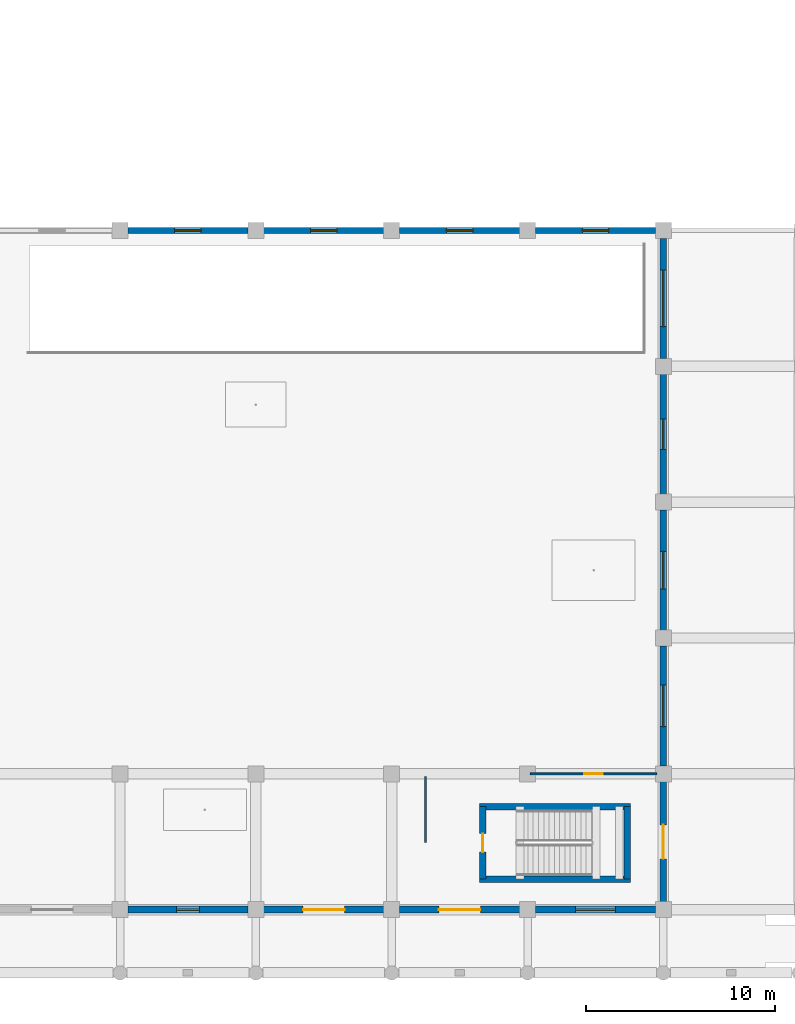
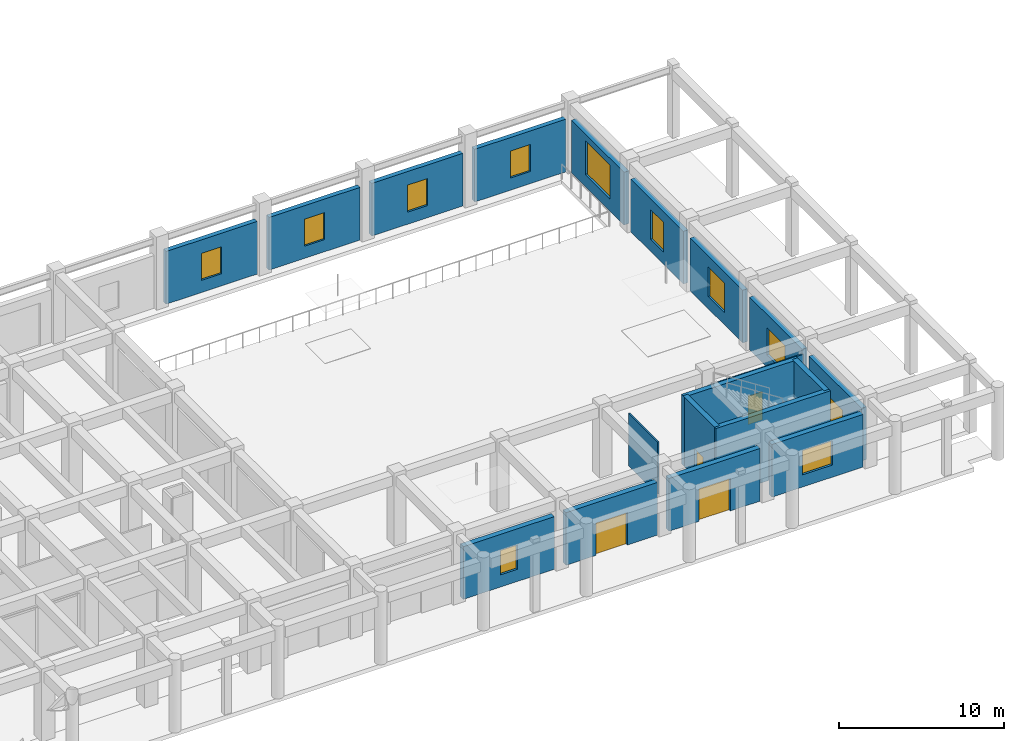
# One storey, part 33 of 56: 19 walls, 10 windows, 5 doors, 15 openings.
"""IFC4 building model written with IfcOpenShell, lengths in metres."""

import ifcopenshell
import ifcopenshell.guid

model = None  # the IFC model being written
_history = None  # IfcOwnerHistory: only IFC2X3 demands one
_inside = {}  # id of a spatial element -> (the spatial element, [elements in it])
_under = {}  # id of a project, library or spatial element -> (it, [spatial elements below it])
_declared = {}  # id of a project -> (the project, [libraries it declares])
_typed = {}  # id of a type object -> (the type object, [elements of that type])
_made_of = {}  # id of a material, layer set ... -> (it, [elements and type objects made of it])


def new_model(schema):
    """Start an empty IFC model of exactly this schema.

    Asked for "IFC4X3", IfcOpenShell would pick the latest addendum, in which some entities
    have other attributes; the version numbers below select the first issue.
    IFC2X3 requires an IfcOwnerHistory on every rooted entity: one is made here for all.
    """
    global model, _history
    if schema == "IFC4X3":
        model = ifcopenshell.file(schema_version=(4, 3, 0, 0))
    else:
        model = ifcopenshell.file(schema=schema)
    _inside.clear()
    _under.clear()
    _declared.clear()
    _typed.clear()
    _made_of.clear()
    _history = None
    if model.schema == "IFC2X3":
        org = make("IfcOrganization", Name="unknown")
        user = make(
            "IfcPersonAndOrganization",
            ThePerson=make("IfcPerson", FamilyName="unknown"),
            TheOrganization=org,
        )
        app = make(
            "IfcApplication",
            ApplicationDeveloper=org,
            Version="unknown",
            ApplicationFullName="unknown",
            ApplicationIdentifier="unknown",
        )
        _history = make(
            "IfcOwnerHistory",
            OwningUser=user,
            OwningApplication=app,
            ChangeAction="ADDED",
            CreationDate=0,
        )
    return model


def make(cls, **values):
    """One entity of the class cls with the attributes given. An attribute that is None is left unset."""
    return model.create_entity(
        cls, **{name: value for name, value in values.items() if value is not None}
    )


def rooted(cls, **values):
    """An entity with a GlobalId (a new one), such as an element, a storey or a relation."""
    return make(cls, GlobalId=ifcopenshell.guid.new(), OwnerHistory=_history, **values)


def si_unit(unit_type, name, prefix=None):
    """IfcSIUnit, for example si_unit("LENGTHUNIT", "METRE", prefix="MILLI")."""
    return make("IfcSIUnit", UnitType=unit_type, Prefix=prefix, Name=name)


def assignment(units):
    """IfcUnitAssignment: the units of a project."""
    return None if units is None else make("IfcUnitAssignment", Units=units)


def point(xyz):
    """IfcCartesianPoint."""
    return None if xyz is None else make("IfcCartesianPoint", Coordinates=xyz)


def direction(xyz):
    """IfcDirection."""
    return None if xyz is None else make("IfcDirection", DirectionRatios=xyz)


def frame(location, z_axis=None, x_axis=None):
    """IfcAxis2Placement3D, a coordinate frame: its origin and axes. An axis left out is left unset."""
    return make(
        "IfcAxis2Placement3D",
        Location=point(location),
        Axis=direction(z_axis),
        RefDirection=direction(x_axis),
    )


def frame_2d(location, x_axis=None):
    """IfcAxis2Placement2D, a coordinate frame in the plane: its origin and x axis."""
    return make(
        "IfcAxis2Placement2D", Location=point(location), RefDirection=direction(x_axis)
    )


def origin():
    """The frame at (0, 0, 0) with its axes left unset."""
    return frame((0.0, 0.0, 0.0))


def place(relative_to, where):
    """IfcLocalPlacement: puts the frame where relative to a parent placement (None: the world)."""
    return make(
        "IfcLocalPlacement", PlacementRelTo=relative_to, RelativePlacement=where
    )


def context(
    kind, dimensions, precision=None, world=None, true_north=None, identifier=None
):
    """IfcGeometricRepresentationContext, for example the 3D "Model" context."""
    return make(
        "IfcGeometricRepresentationContext",
        ContextIdentifier=identifier,
        ContextType=kind,
        CoordinateSpaceDimension=dimensions,
        Precision=precision,
        WorldCoordinateSystem=world,
        TrueNorth=true_north,
    )


def subcontext(parent, identifier, kind, view, scale=None):
    """IfcGeometricRepresentationSubContext, for example "Body" below "Model"."""
    return make(
        "IfcGeometricRepresentationSubContext",
        ContextIdentifier=identifier,
        ContextType=kind,
        ParentContext=parent,
        TargetScale=scale,
        TargetView=view,
    )


def project(units=None, contexts=None):
    """IfcProject with its units and contexts."""
    return rooted(
        "IfcProject",
        Name="project",
        RepresentationContexts=contexts,
        UnitsInContext=assignment(units),
    )


def spatial(cls, under=None, at=None, **own):
    """A site, building, storey or space (cls), placed at a placement, below another one or the project."""
    s = rooted(cls, ObjectPlacement=at, **own)
    if under is not None:
        _under.setdefault(under.id(), (under, []))[1].append(s)
    return s


def profile(cls, at=None, kind="AREA", **sizes):
    """A parametric profile (cls). Its sizes go by their IFC names, for example OverallWidth=200.0."""
    return make(cls, ProfileType=kind, Position=at, **sizes)


def rectangle(**sizes):
    """IfcRectangleProfileDef."""
    return profile("IfcRectangleProfileDef", **sizes)


def extrude(swept, where, along, depth):
    """IfcExtrudedAreaSolid: the profile swept, set in the frame where, extruded along a direction by depth."""
    return make(
        "IfcExtrudedAreaSolid",
        SweptArea=swept,
        Position=where,
        ExtrudedDirection=direction(along),
        Depth=depth,
    )


def shape(context_of_items, identifier, shape_type, items):
    """IfcShapeRepresentation: the items that make up one representation, for example the "Body"."""
    return make(
        "IfcShapeRepresentation",
        ContextOfItems=context_of_items,
        RepresentationIdentifier=identifier,
        RepresentationType=shape_type,
        Items=items,
    )


def material(Name=None, Category=None):
    """IfcMaterial."""
    return make("IfcMaterial", Name=Name, Category=Category)


def layer(
    of_material, thickness, ventilated=None, Name=None, Category=None, Priority=None
):
    """IfcMaterialLayer: one layer of a wall or slab, of a material (None: an air gap)."""
    return make(
        "IfcMaterialLayer",
        Material=of_material,
        LayerThickness=thickness,
        IsVentilated=ventilated,
        Name=Name,
        Category=Category,
        Priority=Priority,
    )


def layer_set(layers, Name=None):
    """IfcMaterialLayerSet."""
    return make("IfcMaterialLayerSet", MaterialLayers=layers, LayerSetName=Name)


def made_of(thing, what):
    """Note that an element or type object is made of a material, layer set ...; save() writes the relation."""
    if what is not None:
        _made_of.setdefault(what.id(), (what, []))[1].append(thing)
    return thing


def type_object(cls, material=None, **own):
    """A type object (cls), such as IfcWallType, which elements share."""
    return made_of(rooted(cls, **own), material)


def element(
    cls,
    number,
    at=None,
    inside=None,
    cuts=None,
    type_object=None,
    material=None,
    context=None,
    identifier="Body",
    shape_type=None,
    held_by="IfcProductDefinitionShape",
    body=None,
    shapes=None,
    **own,
):
    """One element of the class cls, such as IfcWall. Its Tag is "e" and its number.

    at: its placement. inside: the storey or other place that contains it. cuts: it is an
    opening in that element (IfcRelVoidsElement). A single representation is given by context,
    identifier, shape_type and body (its items); several are given by shapes. held_by: the class
    of the entity that holds the representations. save() writes the other relations.
    """
    e = rooted(cls, Tag="e%d" % number, ObjectPlacement=at, **own)
    if body is not None:
        shapes = [shape(context, identifier, shape_type, body)]
    if shapes is not None:
        e.Representation = make(held_by, Representations=shapes)
    if inside is not None:
        _inside.setdefault(inside.id(), (inside, []))[1].append(e)
    if cuts is not None:
        rooted(
            "IfcRelVoidsElement", RelatingBuildingElement=cuts, RelatedOpeningElement=e
        )
    if type_object is not None:
        _typed.setdefault(type_object.id(), (type_object, []))[1].append(e)
    return made_of(e, material)


def fill(opening, filler):
    """IfcRelFillsElement: the door or window that sits in an opening."""
    return rooted(
        "IfcRelFillsElement",
        RelatingOpeningElement=opening,
        RelatedBuildingElement=filler,
    )


def aggregate(whole, parts):
    """IfcRelAggregates: a whole, such as a stair, and the parts it consists of."""
    return rooted("IfcRelAggregates", RelatingObject=whole, RelatedObjects=parts)


def save(model, path):
    """Write the relations noted so far, then the file.

    IfcRelAggregates (storeys below a building ...), IfcRelContainedInSpatialStructure (elements
    in a storey), IfcRelDefinesByType, IfcRelAssociatesMaterial and IfcRelDeclares: one each for
    every whole, place, type object, material and project.
    """
    for whole, parts in _under.values():
        aggregate(whole, parts)
    for where, things in _inside.values():
        rooted(
            "IfcRelContainedInSpatialStructure",
            RelatedElements=things,
            RelatingStructure=where,
        )
    for kind, things in _typed.values():
        rooted("IfcRelDefinesByType", RelatedObjects=things, RelatingType=kind)
    for what, things in _made_of.values():
        rooted("IfcRelAssociatesMaterial", RelatedObjects=things, RelatingMaterial=what)
    for by, libraries in _declared.values():
        rooted("IfcRelDeclares", RelatingContext=by, RelatedDefinitions=libraries)
    model.write(path)


model = new_model("IFC4")

# Units and contexts
model_context = context("Model", 3, precision=1e-05, world=origin(), true_north=direction((0.0, 1.0)))
body_context = subcontext(model_context, "Body", "Model", "MODEL_VIEW")
ifc_project = project(units=[si_unit("LENGTHUNIT", "METRE"), si_unit("AREAUNIT", "SQUARE_METRE"), si_unit("VOLUMEUNIT", "CUBIC_METRE"), si_unit("PLANEANGLEUNIT", "RADIAN"), si_unit("MASSUNIT", "GRAM", prefix="KILO")], contexts=[model_context])

# Site, building, storey
site_placement = place(None, origin())
site = spatial("IfcSite", under=ifc_project, at=site_placement, CompositionType="ELEMENT")
building_placement = place(site_placement, origin())
building = spatial("IfcBuilding", under=site, at=building_placement, Name="Kazehaya Institute of Natural Sciences", CompositionType="ELEMENT")
storey_placement = place(building_placement, origin())
storey = spatial("IfcBuildingStorey", under=building, at=storey_placement, Name="L00", CompositionType="ELEMENT", Elevation=0.0)

# Walls
ifc_material_1 = material(Name="Concrete Fc42", Category="concrete")
ifc_layer_1 = layer(ifc_material_1, 0.35009765625, Name="Concrete Fc42", Category="concrete")
ifc_layer_set_1 = layer_set([ifc_layer_1], Name="Concrete Fc42")
wall_type_1 = type_object("IfcWallType", Name="WL-CORE-350", PredefinedType="SHEAR", material=ifc_layer_set_1)
for number, where, z_axis, x_axis, name in (
    (1, (160.85498046875, 8.419921875, 0.0), (0.0, 0.0, 1.0), (-1.0, 0.0, 0.0), "L00 ST-5 core wall S"),
    (2, (152.844970703125, 12.260009765625, 0.0), (0.0, 0.0, 1.0), (1.0, 0.0, 0.0), "L00 ST-5 core wall N"),
):
    element("IfcWall", number, at=place(storey_placement, frame(where, z_axis=z_axis, x_axis=x_axis)), inside=storey, type_object=wall_type_1, Name=name, PredefinedType="SHEAR", context=body_context, shape_type="SweptSolid", body=[
        extrude(rectangle(XDim=8.010009765625, YDim=0.35009765625, at=frame_2d((4.0048828125, 0.0))), origin(), (0.0, 0.0, 1.0), 5.1298828125),
    ])

# Wall, opening, door
wall_1_placement = place(storey_placement, frame((153.02001953125, 8.419921875, 0.0), z_axis=(0.0, 0.0, 1.0), x_axis=(0.0, 1.0, 0.0)))
wall_1 = element("IfcWall", 3, at=wall_1_placement, inside=storey, type_object=wall_type_1, Name="L00 ST-5 core wall W", PredefinedType="SHEAR", context=body_context, shape_type="SweptSolid", body=[
    extrude(rectangle(XDim=3.840087890625, YDim=0.35009765625, at=frame_2d((1.919921875, 0.0))), origin(), (0.0, 0.0, 1.0), 5.1298828125),
])
opening_1_placement = place(wall_1_placement, frame((1.429931640625, 0.0, 0.0)))
opening_1 = element("IfcOpeningElement", 4, at=opening_1_placement, cuts=wall_1, Name="Opening D-ST-036", PredefinedType="OPENING", context=body_context, shape_type="SweptSolid", body=[
    extrude(rectangle(XDim=0.97998046875, YDim=2.06005859375, at=frame_2d((0.489990234375, 1.030029296875))), frame((0.0, 0.18505859375, 0.0), z_axis=(0.0, -1.0, 0.0), x_axis=(1.0, 0.0, 0.0)), (0.0, 0.0, 1.0), 0.3701171875),
])
ifc_material_2 = material(Name="Fire-rated steel acoustic door", Category="steel")
door_type_1 = type_object("IfcDoorType", Name="DT-FD-07", OperationType="NOTDEFINED", PredefinedType="DOOR", material=ifc_material_2)
door_1_placement = place(opening_1_placement, origin())
door_1 = element("IfcDoor", 5, at=door_1_placement, inside=storey, type_object=door_type_1, Name="L00 ST-5 stair enclosure door D-ST-036", OperationType="SINGLE_SWING_RIGHT", OverallHeight=2.06005859375, OverallWidth=0.97998046875, PredefinedType="DOOR", context=body_context, shape_type="SweptSolid", body=[
    extrude(rectangle(XDim=0.97998046875, YDim=2.06005859375, at=frame_2d((0.489990234375, 1.030029296875))), frame((0.0, 0.02490234375, 0.0), z_axis=(0.0, -1.0, 0.0), x_axis=(1.0, 0.0, 0.0)), (0.0, 0.0, 1.0), 0.050048828125),
])
fill(opening_1, door_1)

# Wall
wall_2_placement = place(storey_placement, frame((160.679931640625, 12.260009765625, 0.0), z_axis=(0.0, 0.0, 1.0), x_axis=(0.0, -1.0, 0.0)))
element("IfcWall", 6, at=wall_2_placement, inside=storey, type_object=wall_type_1, Name="L00 ST-5 core wall E", PredefinedType="SHEAR", context=body_context, shape_type="SweptSolid", body=[
    extrude(rectangle(XDim=3.840087890625, YDim=0.35009765625, at=frame_2d((1.919921875, 0.0))), origin(), (0.0, 0.0, 1.0), 5.1298828125),
])

# Wall, opening, window
ifc_material_3 = material(Name="Precast concrete Fc36", Category="concrete")
ifc_layer_2 = layer(ifc_material_3, 0.320068359375, Name="Precast concrete Fc36", Category="concrete")
ifc_layer_set_2 = layer_set([ifc_layer_2], Name="Precast concrete Fc36")
wall_type_2 = type_object("IfcWallType", Name="WL-EXT-320", PredefinedType="SOLIDWALL", material=ifc_layer_set_2)
wall_3_placement = place(storey_placement, frame((134.2099609375, 42.800048828125, 0.0), z_axis=(0.0, 0.0, 1.0), x_axis=(1.0, 0.0, 0.0)))
wall_3 = element("IfcWall", 7, at=wall_3_placement, inside=storey, type_object=wall_type_2, Name="L00 exterior wall EW-L00-0111", PredefinedType="SOLIDWALL", context=body_context, shape_type="SweptSolid", body=[
    extrude(rectangle(XDim=6.380126953125, YDim=0.320068359375, at=frame_2d((3.18994140625, 0.0))), origin(), (0.0, 0.0, 1.0), 3.89990234375),
])
opening_2_placement = place(wall_3_placement, frame((2.489990234375, 0.0, 0.89990234375)))
opening_2 = element("IfcOpeningElement", 8, at=opening_2_placement, cuts=wall_3, Name="Opening W21", PredefinedType="OPENING", context=body_context, shape_type="SweptSolid", body=[
    extrude(rectangle(XDim=1.39990234375, YDim=2.0, at=frame_2d((0.699951171875, 1.0))), frame((0.0, 0.169921875, 0.0), z_axis=(0.0, -1.0, 0.0), x_axis=(1.0, 0.0, 0.0)), (0.0, 0.0, 1.0), 0.340087890625),
])
ifc_material_4 = material(Name="Low-E double-glazed aluminium window", Category="aluminium")
window_type_1 = type_object("IfcWindowType", Name="WN-21", PartitioningType="SINGLE_PANEL", PredefinedType="WINDOW", material=ifc_material_4)
window_1_placement = place(opening_2_placement, origin())
window_1 = element("IfcWindow", 9, at=window_1_placement, inside=storey, type_object=window_type_1, Name="L00 facade window 0014", OverallHeight=2.0, OverallWidth=1.39990234375, PartitioningType="SINGLE_PANEL", PredefinedType="WINDOW", context=body_context, shape_type="SweptSolid", body=[
    extrude(rectangle(XDim=1.39990234375, YDim=2.0, at=frame_2d((0.699951171875, 1.0))), frame((0.0, 0.030029296875, 0.0), z_axis=(0.0, -1.0, 0.0), x_axis=(1.0, 0.0, 0.0)), (0.0, 0.0, 1.0), 0.06005859375),
])
fill(opening_2, window_1)

wall_4_placement = place(storey_placement, frame((141.409912109375, 42.800048828125, 0.0), z_axis=(0.0, 0.0, 1.0), x_axis=(1.0, 0.0, 0.0)))
wall_4 = element("IfcWall", 10, at=wall_4_placement, inside=storey, type_object=wall_type_2, Name="L00 exterior wall EW-L00-0112", PredefinedType="SOLIDWALL", context=body_context, shape_type="SweptSolid", body=[
    extrude(rectangle(XDim=6.380126953125, YDim=0.320068359375, at=frame_2d((3.18994140625, 0.0))), origin(), (0.0, 0.0, 1.0), 3.89990234375),
])
opening_3_placement = place(wall_4_placement, frame((2.489990234375, 0.0, 0.89990234375)))
opening_3 = element("IfcOpeningElement", 11, at=opening_3_placement, cuts=wall_4, Name="Opening W21", PredefinedType="OPENING", context=body_context, shape_type="SweptSolid", body=[
    extrude(rectangle(XDim=1.39990234375, YDim=2.0, at=frame_2d((0.699951171875, 1.0))), frame((0.0, 0.169921875, 0.0), z_axis=(0.0, -1.0, 0.0), x_axis=(1.0, 0.0, 0.0)), (0.0, 0.0, 1.0), 0.340087890625),
])
window_2_placement = place(opening_3_placement, origin())
window_2 = element("IfcWindow", 12, at=window_2_placement, inside=storey, type_object=window_type_1, Name="L00 facade window 0015", OverallHeight=2.0, OverallWidth=1.39990234375, PartitioningType="SINGLE_PANEL", PredefinedType="WINDOW", context=body_context, shape_type="SweptSolid", body=[
    extrude(rectangle(XDim=1.39990234375, YDim=2.0, at=frame_2d((0.699951171875, 1.0))), frame((0.0, 0.030029296875, 0.0), z_axis=(0.0, -1.0, 0.0), x_axis=(1.0, 0.0, 0.0)), (0.0, 0.0, 1.0), 0.06005859375),
])
fill(opening_3, window_2)

wall_5_placement = place(storey_placement, frame((148.610107421875, 42.800048828125, 0.0), z_axis=(0.0, 0.0, 1.0), x_axis=(1.0, 0.0, 0.0)))
wall_5 = element("IfcWall", 13, at=wall_5_placement, inside=storey, type_object=wall_type_2, Name="L00 exterior wall EW-L00-0113", PredefinedType="SOLIDWALL", context=body_context, shape_type="SweptSolid", body=[
    extrude(rectangle(XDim=6.3798828125, YDim=0.320068359375, at=frame_2d((3.18994140625, 0.0))), origin(), (0.0, 0.0, 1.0), 3.89990234375),
])
opening_4_placement = place(wall_5_placement, frame((2.489990234375, 0.0, 0.89990234375)))
opening_4 = element("IfcOpeningElement", 14, at=opening_4_placement, cuts=wall_5, Name="Opening W21", PredefinedType="OPENING", context=body_context, shape_type="SweptSolid", body=[
    extrude(rectangle(XDim=1.39990234375, YDim=2.0, at=frame_2d((0.699951171875, 1.0))), frame((0.0, 0.169921875, 0.0), z_axis=(0.0, -1.0, 0.0), x_axis=(1.0, 0.0, 0.0)), (0.0, 0.0, 1.0), 0.340087890625),
])
window_3_placement = place(opening_4_placement, origin())
window_3 = element("IfcWindow", 15, at=window_3_placement, inside=storey, type_object=window_type_1, Name="L00 facade window 0016", OverallHeight=2.0, OverallWidth=1.39990234375, PartitioningType="SINGLE_PANEL", PredefinedType="WINDOW", context=body_context, shape_type="SweptSolid", body=[
    extrude(rectangle(XDim=1.39990234375, YDim=2.0, at=frame_2d((0.699951171875, 1.0))), frame((0.0, 0.030029296875, 0.0), z_axis=(0.0, -1.0, 0.0), x_axis=(1.0, 0.0, 0.0)), (0.0, 0.0, 1.0), 0.06005859375),
])
fill(opening_4, window_3)

wall_6_placement = place(storey_placement, frame((155.81005859375, 42.800048828125, 0.0), z_axis=(0.0, 0.0, 1.0), x_axis=(1.0, 0.0, 0.0)))
wall_6 = element("IfcWall", 16, at=wall_6_placement, inside=storey, type_object=wall_type_2, Name="L00 exterior wall EW-L00-0114", PredefinedType="SOLIDWALL", context=body_context, shape_type="SweptSolid", body=[
    extrude(rectangle(XDim=6.3798828125, YDim=0.320068359375, at=frame_2d((3.18994140625, 0.0))), origin(), (0.0, 0.0, 1.0), 3.89990234375),
])
opening_5_placement = place(wall_6_placement, frame((2.489990234375, 0.0, 0.89990234375)))
opening_5 = element("IfcOpeningElement", 17, at=opening_5_placement, cuts=wall_6, Name="Opening W21", PredefinedType="OPENING", context=body_context, shape_type="SweptSolid", body=[
    extrude(rectangle(XDim=1.39990234375, YDim=2.0, at=frame_2d((0.699951171875, 1.0))), frame((0.0, 0.169921875, 0.0), z_axis=(0.0, -1.0, 0.0), x_axis=(1.0, 0.0, 0.0)), (0.0, 0.0, 1.0), 0.340087890625),
])
window_4_placement = place(opening_5_placement, origin())
window_4 = element("IfcWindow", 18, at=window_4_placement, inside=storey, type_object=window_type_1, Name="L00 facade window 0017", OverallHeight=2.0, OverallWidth=1.39990234375, PartitioningType="SINGLE_PANEL", PredefinedType="WINDOW", context=body_context, shape_type="SweptSolid", body=[
    extrude(rectangle(XDim=1.39990234375, YDim=2.0, at=frame_2d((0.699951171875, 1.0))), frame((0.0, 0.030029296875, 0.0), z_axis=(0.0, -1.0, 0.0), x_axis=(1.0, 0.0, 0.0)), (0.0, 0.0, 1.0), 0.06005859375),
])
fill(opening_5, window_4)

ifc_layer_3 = layer(ifc_material_3, 0.340087890625, Name="Precast concrete Fc36", Category="concrete")
ifc_layer_set_3 = layer_set([ifc_layer_3], Name="Precast concrete Fc36")
wall_type_3 = type_object("IfcWallType", Name="WL-EXT-340", PredefinedType="SOLIDWALL", material=ifc_layer_set_3)
wall_7_placement = place(storey_placement, frame((162.60009765625, 42.389892578125, 0.0), z_axis=(0.0, 0.0, 1.0), x_axis=(0.0, -1.0, 0.0)))
wall_7 = element("IfcWall", 19, at=wall_7_placement, inside=storey, type_object=wall_type_3, Name="L00 exterior wall EW-L00-0104", PredefinedType="SOLIDWALL", context=body_context, shape_type="SweptSolid", body=[
    extrude(rectangle(XDim=6.3798828125, YDim=0.340087890625, at=frame_2d((3.18994140625, 0.0))), origin(), (0.0, 0.0, 1.0), 3.89990234375),
])
opening_6_placement = place(wall_7_placement, frame((1.68994140625, 0.0, 0.89990234375)))
opening_6 = element("IfcOpeningElement", 20, at=opening_6_placement, cuts=wall_7, Name="Opening W17", PredefinedType="OPENING", context=body_context, shape_type="SweptSolid", body=[
    extrude(rectangle(XDim=3.0, YDim=2.5, at=frame_2d((1.5, 1.25))), frame((0.0, 0.179931640625, 0.0), z_axis=(0.0, -1.0, 0.0), x_axis=(1.0, 0.0, 0.0)), (0.0, 0.0, 1.0), 0.360107421875),
])
window_type_2 = type_object("IfcWindowType", Name="WN-17", PartitioningType="DOUBLE_PANEL_VERTICAL", PredefinedType="WINDOW", material=ifc_material_4)
window_5_placement = place(opening_6_placement, origin())
window_5 = element("IfcWindow", 21, at=window_5_placement, inside=storey, type_object=window_type_2, Name="L00 facade window 0009", OverallHeight=2.5, OverallWidth=3.0, PartitioningType="DOUBLE_PANEL_VERTICAL", PredefinedType="WINDOW", context=body_context, shape_type="SweptSolid", body=[
    extrude(rectangle(XDim=3.0, YDim=2.5, at=frame_2d((1.5, 1.25))), frame((0.0, 0.030029296875, 0.0), z_axis=(0.0, -1.0, 0.0), x_axis=(1.0, 0.0, 0.0)), (0.0, 0.0, 1.0), 0.06005859375),
])
fill(opening_6, window_5)

wall_8_placement = place(storey_placement, frame((162.60009765625, 35.18994140625, 0.0), z_axis=(0.0, 0.0, 1.0), x_axis=(0.0, -1.0, 0.0)))
wall_8 = element("IfcWall", 22, at=wall_8_placement, inside=storey, type_object=wall_type_3, Name="L00 exterior wall EW-L00-0105", PredefinedType="SOLIDWALL", context=body_context, shape_type="SweptSolid", body=[
    extrude(rectangle(XDim=6.3798828125, YDim=0.340087890625, at=frame_2d((3.18994140625, 0.0))), origin(), (0.0, 0.0, 1.0), 3.89990234375),
])
opening_7_placement = place(wall_8_placement, frame((2.389892578125, 0.0, 0.89990234375)))
opening_7 = element("IfcOpeningElement", 23, at=opening_7_placement, cuts=wall_8, Name="Opening W18", PredefinedType="OPENING", context=body_context, shape_type="SweptSolid", body=[
    extrude(rectangle(XDim=1.60009765625, YDim=2.199951171875, at=frame_2d((0.800048828125, 1.10009765625))), frame((0.0, 0.179931640625, 0.0), z_axis=(0.0, -1.0, 0.0), x_axis=(1.0, 0.0, 0.0)), (0.0, 0.0, 1.0), 0.360107421875),
])
window_type_3 = type_object("IfcWindowType", Name="WN-18", PartitioningType="SINGLE_PANEL", PredefinedType="WINDOW", material=ifc_material_4)
window_6_placement = place(opening_7_placement, origin())
window_6 = element("IfcWindow", 24, at=window_6_placement, inside=storey, type_object=window_type_3, Name="L00 facade window 0010", OverallHeight=2.199951171875, OverallWidth=1.60009765625, PartitioningType="SINGLE_PANEL", PredefinedType="WINDOW", context=body_context, shape_type="SweptSolid", body=[
    extrude(rectangle(XDim=1.60009765625, YDim=2.199951171875, at=frame_2d((0.800048828125, 1.10009765625))), frame((0.0, 0.030029296875, 0.0), z_axis=(0.0, -1.0, 0.0), x_axis=(1.0, 0.0, 0.0)), (0.0, 0.0, 1.0), 0.06005859375),
])
fill(opening_7, window_6)

wall_9_placement = place(storey_placement, frame((162.60009765625, 27.989990234375, 0.0), z_axis=(0.0, 0.0, 1.0), x_axis=(0.0, -1.0, 0.0)))
wall_9 = element("IfcWall", 25, at=wall_9_placement, inside=storey, type_object=wall_type_3, Name="L00 exterior wall EW-L00-0106", PredefinedType="SOLIDWALL", context=body_context, shape_type="SweptSolid", body=[
    extrude(rectangle(XDim=6.3798828125, YDim=0.340087890625, at=frame_2d((3.18994140625, 0.0))), origin(), (0.0, 0.0, 1.0), 3.89990234375),
])
opening_8_placement = place(wall_9_placement, frame((2.18994140625, 0.0, 0.89990234375)))
opening_8 = element("IfcOpeningElement", 26, at=opening_8_placement, cuts=wall_9, Name="Opening W19", PredefinedType="OPENING", context=body_context, shape_type="SweptSolid", body=[
    extrude(rectangle(XDim=2.0, YDim=2.199951171875, at=frame_2d((1.0, 1.10009765625))), frame((0.0, 0.179931640625, 0.0), z_axis=(0.0, -1.0, 0.0), x_axis=(1.0, 0.0, 0.0)), (0.0, 0.0, 1.0), 0.360107421875),
])
window_type_4 = type_object("IfcWindowType", Name="WN-19", PartitioningType="DOUBLE_PANEL_VERTICAL", PredefinedType="WINDOW", material=ifc_material_4)
window_7_placement = place(opening_8_placement, origin())
window_7 = element("IfcWindow", 27, at=window_7_placement, inside=storey, type_object=window_type_4, Name="L00 facade window 0011", OverallHeight=2.199951171875, OverallWidth=2.0, PartitioningType="DOUBLE_PANEL_VERTICAL", PredefinedType="WINDOW", context=body_context, shape_type="SweptSolid", body=[
    extrude(rectangle(XDim=2.0, YDim=2.199951171875, at=frame_2d((1.0, 1.10009765625))), frame((0.0, 0.030029296875, 0.0), z_axis=(0.0, -1.0, 0.0), x_axis=(1.0, 0.0, 0.0)), (0.0, 0.0, 1.0), 0.06005859375),
])
fill(opening_8, window_7)

wall_10_placement = place(storey_placement, frame((162.60009765625, 20.7900390625, 0.0), z_axis=(0.0, 0.0, 1.0), x_axis=(0.0, -1.0, 0.0)))
wall_10 = element("IfcWall", 28, at=wall_10_placement, inside=storey, type_object=wall_type_3, Name="L00 exterior wall EW-L00-0107", PredefinedType="SOLIDWALL", context=body_context, shape_type="SweptSolid", body=[
    extrude(rectangle(XDim=6.380126953125, YDim=0.340087890625, at=frame_2d((3.18994140625, 0.0))), origin(), (0.0, 0.0, 1.0), 3.89990234375),
])
opening_9_placement = place(wall_10_placement, frame((2.090087890625, 0.0, 0.89990234375)))
opening_9 = element("IfcOpeningElement", 29, at=opening_9_placement, cuts=wall_10, Name="Opening W20", PredefinedType="OPENING", context=body_context, shape_type="SweptSolid", body=[
    extrude(rectangle(XDim=2.199951171875, YDim=2.0, at=frame_2d((1.10009765625, 1.0))), frame((0.0, 0.179931640625, 0.0), z_axis=(0.0, -1.0, 0.0), x_axis=(1.0, 0.0, 0.0)), (0.0, 0.0, 1.0), 0.360107421875),
])
window_type_5 = type_object("IfcWindowType", Name="WN-20", PartitioningType="DOUBLE_PANEL_VERTICAL", PredefinedType="WINDOW", material=ifc_material_4)
window_8_placement = place(opening_9_placement, origin())
window_8 = element("IfcWindow", 30, at=window_8_placement, inside=storey, type_object=window_type_5, Name="L00 facade window 0012", OverallHeight=2.0, OverallWidth=2.199951171875, PartitioningType="DOUBLE_PANEL_VERTICAL", PredefinedType="WINDOW", context=body_context, shape_type="SweptSolid", body=[
    extrude(rectangle(XDim=2.199951171875, YDim=2.0, at=frame_2d((1.10009765625, 1.0))), frame((0.0, 0.030029296875, 0.0), z_axis=(0.0, -1.0, 0.0), x_axis=(1.0, 0.0, 0.0)), (0.0, 0.0, 1.0), 0.06005859375),
])
fill(opening_9, window_8)

# Wall, opening, door
wall_11_placement = place(storey_placement, frame((162.60009765625, 13.590087890625, 0.0), z_axis=(0.0, 0.0, 1.0), x_axis=(0.0, -1.0, 0.0)))
wall_11 = element("IfcWall", 31, at=wall_11_placement, inside=storey, type_object=wall_type_3, Name="L00 exterior wall EW-L00-0108", PredefinedType="SOLIDWALL", context=body_context, shape_type="SweptSolid", body=[
    extrude(rectangle(XDim=6.380126953125, YDim=0.340087890625, at=frame_2d((3.18994140625, 0.0))), origin(), (0.0, 0.0, 1.0), 3.89990234375),
])
opening_10_placement = place(wall_11_placement, frame((2.2900390625, 0.0, 0.0)))
opening_10 = element("IfcOpeningElement", 32, at=opening_10_placement, cuts=wall_11, Name="Opening D-E08", PredefinedType="OPENING", context=body_context, shape_type="SweptSolid", body=[
    extrude(rectangle(XDim=1.800048828125, YDim=2.35009765625, at=frame_2d((0.89990234375, 1.175048828125))), frame((0.0, 0.179931640625, 0.0), z_axis=(0.0, -1.0, 0.0), x_axis=(1.0, 0.0, 0.0)), (0.0, 0.0, 1.0), 0.360107421875),
])
ifc_material_5 = material(Name="Insulated bronze-clad steel door", Category="steel")
door_type_2 = type_object("IfcDoorType", Name="DT-EXT-1800x2350", OperationType="DOUBLE_DOOR_SINGLE_SWING", PredefinedType="DOOR", material=ifc_material_5)
door_2_placement = place(opening_10_placement, origin())
door_2 = element("IfcDoor", 33, at=door_2_placement, inside=storey, type_object=door_type_2, Name="L00 exterior door D-E08", OperationType="DOUBLE_DOOR_SINGLE_SWING", OverallHeight=2.35009765625, OverallWidth=1.800048828125, PredefinedType="DOOR", context=body_context, shape_type="SweptSolid", body=[
    extrude(rectangle(XDim=1.800048828125, YDim=2.35009765625, at=frame_2d((0.89990234375, 1.175048828125))), frame((0.0, 0.02490234375, 0.0), z_axis=(0.0, -1.0, 0.0), x_axis=(1.0, 0.0, 0.0)), (0.0, 0.0, 1.0), 0.050048828125),
])
fill(opening_10, door_2)

# Wall, opening, window
ifc_layer_4 = layer(ifc_material_3, 0.3701171875, Name="Precast concrete Fc36", Category="concrete")
ifc_layer_set_4 = layer_set([ifc_layer_4], Name="Precast concrete Fc36")
wall_type_4 = type_object("IfcWallType", Name="WL-EXT-370", PredefinedType="SOLIDWALL", material=ifc_layer_set_4)
wall_12_placement = place(storey_placement, frame((162.18994140625, 6.800048828125, 0.0), z_axis=(0.0, 0.0, 1.0), x_axis=(-1.0, 0.0, 0.0)))
wall_12 = element("IfcWall", 34, at=wall_12_placement, inside=storey, type_object=wall_type_4, Name="L00 exterior wall EW-L00-0098", PredefinedType="SOLIDWALL", context=body_context, shape_type="SweptSolid", body=[
    extrude(rectangle(XDim=6.3798828125, YDim=0.3701171875, at=frame_2d((3.18994140625, 0.0))), origin(), (0.0, 0.0, 1.0), 3.89990234375),
])
opening_11_placement = place(wall_12_placement, frame((2.139892578125, 0.0, 0.89990234375)))
opening_11 = element("IfcOpeningElement", 35, at=opening_11_placement, cuts=wall_12, Name="Opening W12", PredefinedType="OPENING", context=body_context, shape_type="SweptSolid", body=[
    extrude(rectangle(XDim=2.10009765625, YDim=1.800048828125, at=frame_2d((1.050048828125, 0.89990234375))), frame((0.0, 0.195068359375, 0.0), z_axis=(0.0, -1.0, 0.0), x_axis=(1.0, 0.0, 0.0)), (0.0, 0.0, 1.0), 0.39013671875),
])
window_type_6 = type_object("IfcWindowType", Name="WN-12", PartitioningType="DOUBLE_PANEL_VERTICAL", PredefinedType="WINDOW", material=ifc_material_4)
window_9_placement = place(opening_11_placement, origin())
window_9 = element("IfcWindow", 36, at=window_9_placement, inside=storey, type_object=window_type_6, Name="L00 facade window 0007", OverallHeight=1.800048828125, OverallWidth=2.10009765625, PartitioningType="DOUBLE_PANEL_VERTICAL", PredefinedType="WINDOW", context=body_context, shape_type="SweptSolid", body=[
    extrude(rectangle(XDim=2.10009765625, YDim=1.800048828125, at=frame_2d((1.050048828125, 0.89990234375))), frame((0.0, 0.030029296875, 0.0), z_axis=(0.0, -1.0, 0.0), x_axis=(1.0, 0.0, 0.0)), (0.0, 0.0, 1.0), 0.06005859375),
])
fill(opening_11, window_9)

# Wall, opening, door
wall_13_placement = place(storey_placement, frame((154.989990234375, 6.800048828125, 0.0), z_axis=(0.0, 0.0, 1.0), x_axis=(-1.0, 0.0, 0.0)))
wall_13 = element("IfcWall", 37, at=wall_13_placement, inside=storey, type_object=wall_type_4, Name="L00 exterior wall EW-L00-0099", PredefinedType="SOLIDWALL", context=body_context, shape_type="SweptSolid", body=[
    extrude(rectangle(XDim=6.3798828125, YDim=0.3701171875, at=frame_2d((3.18994140625, 0.0))), origin(), (0.0, 0.0, 1.0), 3.89990234375),
])
opening_12_placement = place(wall_13_placement, frame((2.090087890625, 0.0, 0.0)))
opening_12 = element("IfcOpeningElement", 38, at=opening_12_placement, cuts=wall_13, Name="Opening D-E13", PredefinedType="OPENING", context=body_context, shape_type="SweptSolid", body=[
    extrude(rectangle(XDim=2.199951171875, YDim=2.39990234375, at=frame_2d((1.10009765625, 1.199951171875))), frame((0.0, 0.195068359375, 0.0), z_axis=(0.0, -1.0, 0.0), x_axis=(1.0, 0.0, 0.0)), (0.0, 0.0, 1.0), 0.39013671875),
])
door_type_3 = type_object("IfcDoorType", Name="DT-EXT-2200x2400", OperationType="DOUBLE_DOOR_SINGLE_SWING", PredefinedType="DOOR", material=ifc_material_5)
door_3_placement = place(opening_12_placement, origin())
door_3 = element("IfcDoor", 39, at=door_3_placement, inside=storey, type_object=door_type_3, Name="L00 exterior door D-E13", OperationType="DOUBLE_DOOR_SINGLE_SWING", OverallHeight=2.39990234375, OverallWidth=2.199951171875, PredefinedType="DOOR", context=body_context, shape_type="SweptSolid", body=[
    extrude(rectangle(XDim=2.199951171875, YDim=2.39990234375, at=frame_2d((1.10009765625, 1.199951171875))), frame((0.0, 0.02490234375, 0.0), z_axis=(0.0, -1.0, 0.0), x_axis=(1.0, 0.0, 0.0)), (0.0, 0.0, 1.0), 0.050048828125),
])
fill(opening_12, door_3)

wall_14_placement = place(storey_placement, frame((147.7900390625, 6.800048828125, 0.0), z_axis=(0.0, 0.0, 1.0), x_axis=(-1.0, 0.0, 0.0)))
wall_14 = element("IfcWall", 40, at=wall_14_placement, inside=storey, type_object=wall_type_4, Name="L00 exterior wall EW-L00-0100", PredefinedType="SOLIDWALL", context=body_context, shape_type="SweptSolid", body=[
    extrude(rectangle(XDim=6.380126953125, YDim=0.3701171875, at=frame_2d((3.18994140625, 0.0))), origin(), (0.0, 0.0, 1.0), 3.89990234375),
])
opening_13_placement = place(wall_14_placement, frame((2.090087890625, 0.0, 0.0)))
opening_13 = element("IfcOpeningElement", 41, at=opening_13_placement, cuts=wall_14, Name="Opening D-E07", PredefinedType="OPENING", context=body_context, shape_type="SweptSolid", body=[
    extrude(rectangle(XDim=2.199951171875, YDim=2.39990234375, at=frame_2d((1.10009765625, 1.199951171875))), frame((0.0, 0.195068359375, 0.0), z_axis=(0.0, -1.0, 0.0), x_axis=(1.0, 0.0, 0.0)), (0.0, 0.0, 1.0), 0.39013671875),
])
door_4_placement = place(opening_13_placement, origin())
door_4 = element("IfcDoor", 42, at=door_4_placement, inside=storey, type_object=door_type_3, Name="L00 exterior door D-E07", OperationType="DOUBLE_DOOR_SINGLE_SWING", OverallHeight=2.39990234375, OverallWidth=2.199951171875, PredefinedType="DOOR", context=body_context, shape_type="SweptSolid", body=[
    extrude(rectangle(XDim=2.199951171875, YDim=2.39990234375, at=frame_2d((1.10009765625, 1.199951171875))), frame((0.0, 0.02490234375, 0.0), z_axis=(0.0, -1.0, 0.0), x_axis=(1.0, 0.0, 0.0)), (0.0, 0.0, 1.0), 0.050048828125),
])
fill(opening_13, door_4)

# Wall, opening, window
wall_15_placement = place(storey_placement, frame((140.590087890625, 6.800048828125, 0.0), z_axis=(0.0, 0.0, 1.0), x_axis=(-1.0, 0.0, 0.0)))
wall_15 = element("IfcWall", 43, at=wall_15_placement, inside=storey, type_object=wall_type_4, Name="L00 exterior wall EW-L00-0101", PredefinedType="SOLIDWALL", context=body_context, shape_type="SweptSolid", body=[
    extrude(rectangle(XDim=6.380126953125, YDim=0.3701171875, at=frame_2d((3.18994140625, 0.0))), origin(), (0.0, 0.0, 1.0), 3.89990234375),
])
opening_14_placement = place(wall_15_placement, frame((2.590087890625, 0.0, 0.89990234375)))
opening_14 = element("IfcOpeningElement", 44, at=opening_14_placement, cuts=wall_15, Name="Opening W15", PredefinedType="OPENING", context=body_context, shape_type="SweptSolid", body=[
    extrude(rectangle(XDim=1.199951171875, YDim=1.800048828125, at=frame_2d((0.60009765625, 0.89990234375))), frame((0.0, 0.195068359375, 0.0), z_axis=(0.0, -1.0, 0.0), x_axis=(1.0, 0.0, 0.0)), (0.0, 0.0, 1.0), 0.39013671875),
])
window_type_7 = type_object("IfcWindowType", Name="WN-15", PartitioningType="SINGLE_PANEL", PredefinedType="WINDOW", material=ifc_material_4)
window_10_placement = place(opening_14_placement, origin())
window_10 = element("IfcWindow", 45, at=window_10_placement, inside=storey, type_object=window_type_7, Name="L00 facade window 0008", OverallHeight=1.800048828125, OverallWidth=1.199951171875, PartitioningType="SINGLE_PANEL", PredefinedType="WINDOW", context=body_context, shape_type="SweptSolid", body=[
    extrude(rectangle(XDim=1.199951171875, YDim=1.800048828125, at=frame_2d((0.60009765625, 0.89990234375))), frame((0.0, 0.030029296875, 0.0), z_axis=(0.0, -1.0, 0.0), x_axis=(1.0, 0.0, 0.0)), (0.0, 0.0, 1.0), 0.06005859375),
])
fill(opening_14, window_10)

# Wall, opening, door
ifc_material_6 = material(Name="Lightweight chase partition")
ifc_layer_5 = layer(ifc_material_6, 0.10009765625, Name="Lightweight chase partition")
ifc_layer_set_5 = layer_set([ifc_layer_5], Name="Lightweight chase partition")
wall_type_5 = type_object("IfcWallType", Name="WL-PART-100", PredefinedType="PARTITIONING", material=ifc_layer_set_5)
wall_16_placement = place(storey_placement, frame((162.25, 14.0, 0.0), z_axis=(0.0, 0.0, 1.0), x_axis=(-1.0, 0.0, 0.0)))
wall_16 = element("IfcWall", 46, at=wall_16_placement, inside=storey, type_object=wall_type_5, Name="L00 Seminar Room partition IW-L00-0069", PredefinedType="PARTITIONING", context=body_context, shape_type="SweptSolid", body=[
    extrude(rectangle(XDim=6.699951171875, YDim=0.10009765625, at=frame_2d((3.35009765625, 0.0))), origin(), (0.0, 0.0, 1.0), 3.8798828125),
])
opening_15_placement = place(wall_16_placement, frame((2.85498046875, 0.0, 0.0)))
opening_15 = element("IfcOpeningElement", 47, at=opening_15_placement, cuts=wall_16, Name="Opening D-L00-0068", PredefinedType="OPENING", context=body_context, shape_type="SweptSolid", body=[
    extrude(rectangle(XDim=0.989990234375, YDim=2.10009765625, at=frame_2d((0.4951171875, 1.050048828125))), frame((0.0, 0.06005859375, 0.0), z_axis=(0.0, -1.0, 0.0), x_axis=(1.0, 0.0, 0.0)), (0.0, 0.0, 1.0), 0.1201171875),
])
ifc_material_7 = material(Name="Flush timber and aluminium laboratory door", Category="wood")
door_type_4 = type_object("IfcDoorType", Name="DT-INT-14", OperationType="NOTDEFINED", PredefinedType="DOOR", material=ifc_material_7)
door_5_placement = place(opening_15_placement, origin())
door_5 = element("IfcDoor", 48, at=door_5_placement, inside=storey, type_object=door_type_4, Name="L00 Seminar Room door D-L00-0068", OperationType="SINGLE_SWING_RIGHT", OverallHeight=2.10009765625, OverallWidth=0.989990234375, PredefinedType="DOOR", context=body_context, shape_type="SweptSolid", body=[
    extrude(rectangle(XDim=0.989990234375, YDim=2.10009765625, at=frame_2d((0.4951171875, 1.050048828125))), frame((0.0, 0.02490234375, 0.0), z_axis=(0.0, -1.0, 0.0), x_axis=(1.0, 0.0, 0.0)), (0.0, 0.0, 1.0), 0.050048828125),
])
fill(opening_15, door_5)

# Wall
ifc_material_8 = material(Name="Glazed office demountable partition")
ifc_layer_6 = layer(ifc_material_8, 0.110107421875, Name="Glazed office demountable partition")
ifc_layer_set_6 = layer_set([ifc_layer_6], Name="Glazed office demountable partition")
wall_type_6 = type_object("IfcWallType", Name="WL-PART-110", PredefinedType="PARTITIONING", material=ifc_layer_set_6)
wall_17_placement = place(storey_placement, frame((150.0, 13.85009765625, 0.0), z_axis=(0.0, 0.0, 1.0), x_axis=(0.0, -1.0, 0.0)))
element("IfcWall", 49, at=wall_17_placement, inside=storey, type_object=wall_type_6, Name="L00 Seminar Room partition IW-L00-0068", PredefinedType="PARTITIONING", context=body_context, shape_type="SweptSolid", body=[
    extrude(rectangle(XDim=3.5, YDim=0.110107421875, at=frame_2d((1.75, 0.0))), origin(), (0.0, 0.0, 1.0), 3.8798828125),
])

save(model, "model.ifc")
